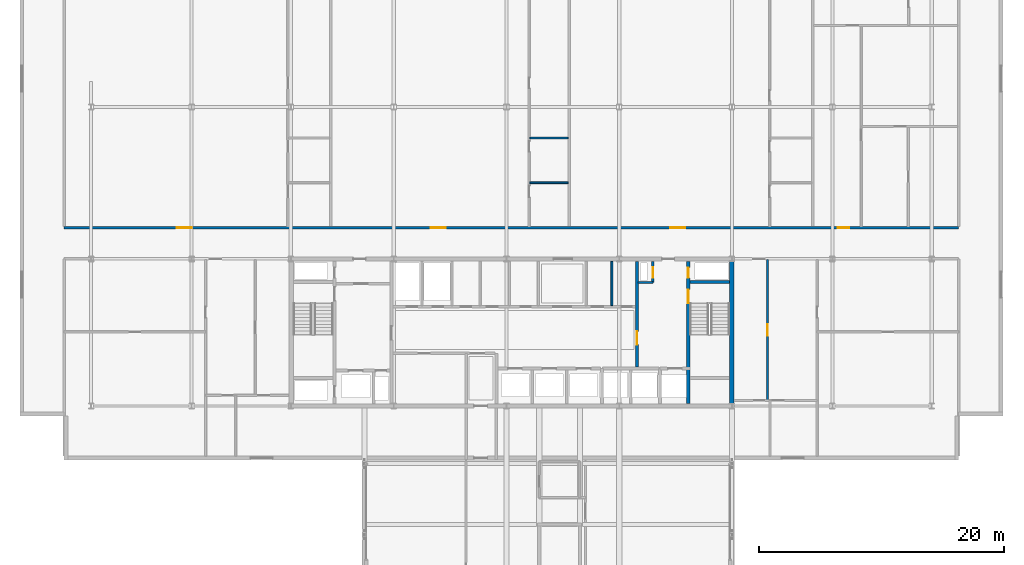
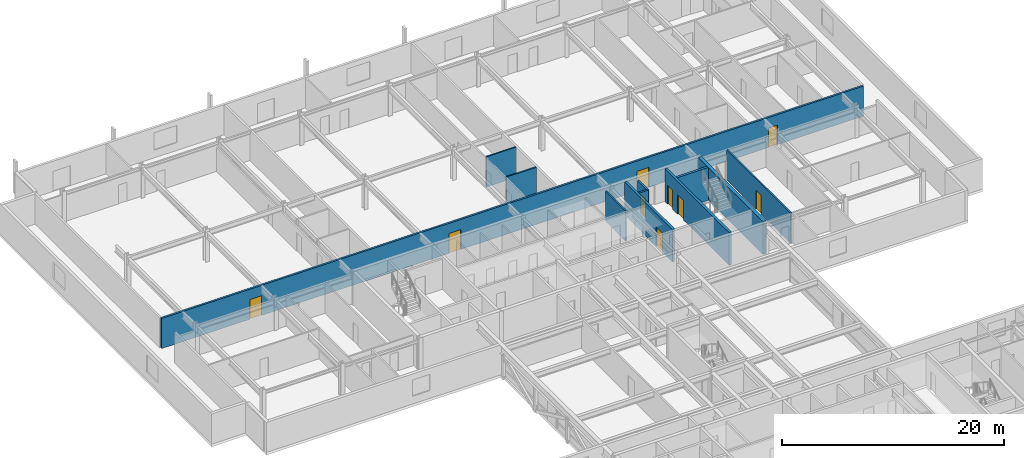
# One storey, part 25 of 35: 11 walls, 9 doors, 9 openings.
"""IFC4 building model written with IfcOpenShell, lengths in metres."""

from ifc_helpers import new_model, si_unit, direction, frame, frame_2d, origin, place, context, subcontext, project, spatial, rectangle, extrude, material, layer, layer_set, type_object, element, fill, save


model = new_model("IFC4")

# Units and contexts
model_context = context("Model", 3, precision=1e-05, world=origin(), true_north=direction((0.0, 1.0)))
body_context = subcontext(model_context, "Body", "Model", "MODEL_VIEW")
ifc_project = project(units=[si_unit("LENGTHUNIT", "METRE"), si_unit("AREAUNIT", "SQUARE_METRE"), si_unit("VOLUMEUNIT", "CUBIC_METRE"), si_unit("PLANEANGLEUNIT", "RADIAN"), si_unit("MASSUNIT", "GRAM", prefix="KILO")], contexts=[model_context])

# Site, building, storey
site_placement = place(None, origin())
site = spatial("IfcSite", under=ifc_project, at=site_placement, CompositionType="ELEMENT")
building_placement = place(site_placement, origin())
building = spatial("IfcBuilding", under=site, at=building_placement, Name="Korimba Cascade Residences", CompositionType="ELEMENT")
storey_placement = place(building_placement, frame((0.0, 0.0, 150.10009765625)))
storey = spatial("IfcBuildingStorey", under=building, at=storey_placement, Name="L43", CompositionType="ELEMENT", Elevation=150.10009765625)

# Wall
ifc_material_1 = material(Name="Concrete C65/80", Category="concrete")
ifc_layer_1 = layer(ifc_material_1, 0.35009765625)
ifc_layer_set_1 = layer_set([ifc_layer_1], Name="Concrete C65/80")
wall_type_1 = type_object("IfcWallType", Name="WAL-CORE-350", PredefinedType="SHEAR", material=ifc_layer_set_1)
wall_1_placement = place(storey_placement, frame((112.074951171875, 55.375, 0.0), z_axis=(0.0, 0.0, 1.0), x_axis=(0.0, 1.0, 0.0)))
element("IfcWall", 1, at=wall_1_placement, inside=storey, type_object=wall_type_1, Name="L43 Core Shear Wall CW-L43-T1-E", PredefinedType="SHEAR", context=body_context, shape_type="SweptSolid", body=[
    extrude(rectangle(XDim=11.64990234375, YDim=0.35009765625, at=frame_2d((5.824951171875, 0.0))), origin(), (0.0, 0.0, 1.0), 3.599853515625),
])

# Wall, openings, doors
ifc_material_2 = material(Name="Precast concrete C40/50", Category="concrete")
ifc_layer_2 = layer(ifc_material_2, 0.199951171875)
ifc_layer_set_2 = layer_set([ifc_layer_2], Name="Precast concrete C40/50")
wall_type_2 = type_object("IfcWallType", Name="WAL-IT-200", PredefinedType="PARTITIONING", material=ifc_layer_set_2)
wall_2_placement = place(storey_placement, frame((57.60009765625, 69.75, 0.0), z_axis=(0.0, 0.0, 1.0), x_axis=(1.0, 0.0, 0.0)))
wall_2 = element("IfcWall", 2, at=wall_2_placement, inside=storey, type_object=wall_type_2, Name="L43 Partition Wall WAL-L43-T1-CORN", PredefinedType="PARTITIONING", context=body_context, shape_type="SweptSolid", body=[
    extrude(rectangle(XDim=73.0, YDim=0.199951171875, at=frame_2d((36.5, 0.0))), origin(), (0.0, 0.0, 1.0), 3.309814453125),
])
opening_1_placement = place(wall_2_placement, frame((9.188720703125, 0.0, 0.0)))
opening_1 = element("IfcOpeningElement", 3, at=opening_1_placement, cuts=wall_2, Name="Opening D-AM1", PredefinedType="OPENING", context=body_context, shape_type="SweptSolid", body=[
    extrude(rectangle(XDim=1.219970703125, YDim=2.179931640625, at=frame_2d((0.60986328125, 1.08984375))), frame((0.0, 0.10986328125, 0.0), z_axis=(0.0, -1.0, 0.0), x_axis=(1.0, 0.0, 0.0)), (0.0, 0.0, 1.0), 0.219970703125),
])
opening_2_placement = place(wall_2_placement, frame((29.91162109375, 0.0, 0.0)))
opening_2 = element("IfcOpeningElement", 4, at=opening_2_placement, cuts=wall_2, Name="Opening D-AM1", PredefinedType="OPENING", context=body_context, shape_type="SweptSolid", body=[
    extrude(rectangle(XDim=1.219970703125, YDim=2.179931640625, at=frame_2d((0.60986328125, 1.08984375))), frame((0.0, 0.10986328125, 0.0), z_axis=(0.0, -1.0, 0.0), x_axis=(1.0, 0.0, 0.0)), (0.0, 0.0, 1.0), 0.219970703125),
])
opening_3_placement = place(wall_2_placement, frame((49.456787109375, 0.0, 0.0)))
opening_3 = element("IfcOpeningElement", 5, at=opening_3_placement, cuts=wall_2, Name="Opening D-AM1", PredefinedType="OPENING", context=body_context, shape_type="SweptSolid", body=[
    extrude(rectangle(XDim=1.219970703125, YDim=2.179931640625, at=frame_2d((0.60986328125, 1.08984375))), frame((0.0, 0.10986328125, 0.0), z_axis=(0.0, -1.0, 0.0), x_axis=(1.0, 0.0, 0.0)), (0.0, 0.0, 1.0), 0.219970703125),
])
opening_4_placement = place(wall_2_placement, frame((63.122314453125, 0.0, 0.0)))
opening_4 = element("IfcOpeningElement", 6, at=opening_4_placement, cuts=wall_2, Name="Opening D-UN1", PredefinedType="OPENING", context=body_context, shape_type="SweptSolid", body=[
    extrude(rectangle(XDim=0.949951171875, YDim=2.14990234375, at=frame_2d((0.47509765625, 1.074951171875))), frame((0.0, 0.10986328125, 0.0), z_axis=(0.0, -1.0, 0.0), x_axis=(1.0, 0.0, 0.0)), (0.0, 0.0, 1.0), 0.219970703125),
])
ifc_material_3 = material(Name="Fire-Rated Glazed Timber Suite Door", Category="wood")
door_type_1 = type_object("IfcDoorType", Name="DR-FD60-1200", OperationType="NOTDEFINED", PredefinedType="DOOR", material=ifc_material_3)
door_1_placement = place(opening_1_placement, origin())
door_1 = element("IfcDoor", 7, at=door_1_placement, inside=storey, type_object=door_type_1, Name="L43-T1-U01 Transfer Reception Foyer Door", OperationType="SINGLE_SWING_LEFT", OverallHeight=2.179931640625, OverallWidth=1.219970703125, PredefinedType="DOOR", context=body_context, shape_type="SweptSolid", body=[
    extrude(rectangle(XDim=1.219970703125, YDim=2.179931640625, at=frame_2d((0.60986328125, 1.08984375))), frame((0.0, 0.02490234375, 0.0), z_axis=(0.0, -1.0, 0.0), x_axis=(1.0, 0.0, 0.0)), (0.0, 0.0, 1.0), 0.050048828125),
])
fill(opening_1, door_1)
door_2_placement = place(opening_2_placement, origin())
door_2 = element("IfcDoor", 8, at=door_2_placement, inside=storey, type_object=door_type_1, Name="L43-T1-U02 Executive Co-Working Office Door", OperationType="SINGLE_SWING_RIGHT", OverallHeight=2.179931640625, OverallWidth=1.219970703125, PredefinedType="DOOR", context=body_context, shape_type="SweptSolid", body=[
    extrude(rectangle(XDim=1.219970703125, YDim=2.179931640625, at=frame_2d((0.60986328125, 1.08984375))), frame((0.0, 0.02490234375, 0.0), z_axis=(0.0, -1.0, 0.0), x_axis=(1.0, 0.0, 0.0)), (0.0, 0.0, 1.0), 0.050048828125),
])
fill(opening_2, door_2)
door_3_placement = place(opening_3_placement, origin())
door_3 = element("IfcDoor", 9, at=door_3_placement, inside=storey, type_object=door_type_1, Name="L43-T1-U03 Resident Conference Room Door", OperationType="SINGLE_SWING_LEFT", OverallHeight=2.179931640625, OverallWidth=1.219970703125, PredefinedType="DOOR", context=body_context, shape_type="SweptSolid", body=[
    extrude(rectangle(XDim=1.219970703125, YDim=2.179931640625, at=frame_2d((0.60986328125, 1.08984375))), frame((0.0, 0.02490234375, 0.0), z_axis=(0.0, -1.0, 0.0), x_axis=(1.0, 0.0, 0.0)), (0.0, 0.0, 1.0), 0.050048828125),
])
fill(opening_3, door_3)
ifc_material_4 = material(Name="Fire-Rated Hardwood Apartment Entrance Door", Category="wood")
door_type_2 = type_object("IfcDoorType", Name="DR-FD60-950", OperationType="NOTDEFINED", PredefinedType="DOOR", material=ifc_material_4)
door_4_placement = place(opening_4_placement, origin())
door_4 = element("IfcDoor", 10, at=door_4_placement, inside=storey, type_object=door_type_2, Name="Unit L43-T1-U04 Entrance Door", OperationType="SINGLE_SWING_RIGHT", OverallHeight=2.14990234375, OverallWidth=0.949951171875, PredefinedType="DOOR", context=body_context, shape_type="SweptSolid", body=[
    extrude(rectangle(XDim=0.949951171875, YDim=2.14990234375, at=frame_2d((0.47509765625, 1.074951171875))), frame((0.0, 0.02490234375, 0.0), z_axis=(0.0, -1.0, 0.0), x_axis=(1.0, 0.0, 0.0)), (0.0, 0.0, 1.0), 0.050048828125),
])
fill(opening_4, door_4)

# Wall
ifc_material_5 = material(Name="Insulated Acoustic Stud Partition", Category="gypsum")
ifc_layer_3 = layer(ifc_material_5, 0.14990234375)
ifc_layer_set_3 = layer_set([ifc_layer_3], Name="Insulated Acoustic Stud Partition")
wall_type_3 = type_object("IfcWallType", Name="WAL-PART-150", PredefinedType="PARTITIONING", material=ifc_layer_set_3)
wall_3_placement = place(storey_placement, frame((102.300048828125, 63.39990234375, 0.0), z_axis=(0.0, 0.0, 1.0), x_axis=(0.0, 1.0, 0.0)))
element("IfcWall", 11, at=wall_3_placement, inside=storey, type_object=wall_type_3, Name="L43 Partition Wall CW-L43-T1-CA1E1", PredefinedType="PARTITIONING", context=body_context, shape_type="SweptSolid", body=[
    extrude(rectangle(XDim=3.60009765625, YDim=0.14990234375, at=frame_2d((1.800048828125, 0.0))), origin(), (0.0, 0.0, 1.0), 3.309814453125),
])

# Wall, opening, door
wall_4_placement = place(storey_placement, frame((115.0, 55.64990234375, 0.0), z_axis=(0.0, 0.0, 1.0), x_axis=(0.0, 1.0, 0.0)))
wall_4 = element("IfcWall", 12, at=wall_4_placement, inside=storey, type_object=wall_type_3, Name="L43 Partition Wall WAL-L43-T1-FE-VN", PredefinedType="PARTITIONING", context=body_context, shape_type="SweptSolid", body=[
    extrude(rectangle(XDim=11.5, YDim=0.14990234375, at=frame_2d((5.75, 0.0))), origin(), (0.0, 0.0, 1.0), 3.309814453125),
])
opening_5_placement = place(wall_4_placement, frame((5.2900390625, 0.0, 0.0)))
opening_5 = element("IfcOpeningElement", 13, at=opening_5_placement, cuts=wall_4, Name="Opening D-IN1", PredefinedType="OPENING", context=body_context, shape_type="SweptSolid", body=[
    extrude(rectangle(XDim=0.919921875, YDim=2.080078125, at=frame_2d((0.4599609375, 1.0400390625))), frame((0.0, 0.0849609375, 0.0), z_axis=(0.0, -1.0, 0.0), x_axis=(1.0, 0.0, 0.0)), (0.0, 0.0, 1.0), 0.169921875),
])
ifc_material_6 = material(Name="Acoustic Timber Living Door", Category="wood")
door_type_3 = type_object("IfcDoorType", Name="DR-INT-920", OperationType="NOTDEFINED", PredefinedType="DOOR", material=ifc_material_6)
door_5_placement = place(opening_5_placement, origin())
door_5 = element("IfcDoor", 14, at=door_5_placement, inside=storey, type_object=door_type_3, Name="L43-T1-FE Living Door", OperationType="SINGLE_SWING_RIGHT", OverallHeight=2.080078125, OverallWidth=0.919921875, PredefinedType="DOOR", context=body_context, shape_type="SweptSolid", body=[
    extrude(rectangle(XDim=0.919921875, YDim=2.080078125, at=frame_2d((0.4599609375, 1.0400390625))), frame((0.0, 0.02490234375, 0.0), z_axis=(0.0, -1.0, 0.0), x_axis=(1.0, 0.0, 0.0)), (0.0, 0.0, 1.0), 0.050048828125),
])
fill(opening_5, door_5)

# Walls
for number, where, z_axis, x_axis, name in (
    (15, (95.606201171875, 73.419921875, 0.0), (0.0, 0.0, 1.0), (1.0, 0.0, 0.0), "L43 Partition Wall WAL-L43-T1-U02-WCH"),
    (16, (95.606201171875, 77.070068359375, 0.0), (0.0, 0.0, 1.0), (1.0, 0.0, 0.0), "L43 Partition Wall WAL-L43-T1-U02-WCH2"),
):
    element("IfcWall", number, at=place(storey_placement, frame(where, z_axis=z_axis, x_axis=x_axis)), inside=storey, type_object=wall_type_3, Name=name, PredefinedType="PARTITIONING", context=body_context, shape_type="SweptSolid", body=[
        extrude(rectangle(XDim=3.1298828125, YDim=0.14990234375, at=frame_2d((1.56494140625, 0.0))), origin(), (0.0, 0.0, 1.0), 3.309814453125),
    ])
ifc_material_7 = material(Name="Concrete C40/50", Category="concrete")
ifc_layer_4 = layer(ifc_material_7, 0.199951171875)
ifc_layer_set_4 = layer_set([ifc_layer_4], Name="Concrete C40/50")
wall_type_4 = type_object("IfcWallType", Name="WAL-PART-200", PredefinedType="PARTITIONING", material=ifc_layer_set_4)
wall_5_placement = place(storey_placement, frame((104.449951171875, 65.280029296875, 0.0), z_axis=(0.0, 0.0, 1.0), x_axis=(1.0, 0.0, 0.0)))
element("IfcWall", 17, at=wall_5_placement, inside=storey, type_object=wall_type_4, Name="L43 Partition Wall CW-L43-T1-HYDW2S", PredefinedType="PARTITIONING", context=body_context, shape_type="SweptSolid", body=[
    extrude(rectangle(XDim=1.199951171875, YDim=0.199951171875, at=frame_2d((0.60009765625, 0.0))), origin(), (0.0, 0.0, 1.0), 3.309814453125),
])

# Wall, opening, door
wall_6_placement = place(storey_placement, frame((105.64990234375, 65.280029296875, 0.0), z_axis=(0.0, 0.0, 1.0), x_axis=(0.0, 1.0, 0.0)))
wall_6 = element("IfcWall", 18, at=wall_6_placement, inside=storey, type_object=wall_type_4, Name="L43 Partition Wall CW-L43-T1-HYDW2E", PredefinedType="PARTITIONING", context=body_context, shape_type="SweptSolid", body=[
    extrude(rectangle(XDim=1.719970703125, YDim=0.199951171875, at=frame_2d((0.85986328125, 0.0))), origin(), (0.0, 0.0, 1.0), 3.309814453125),
])
opening_6_placement = place(wall_6_placement, frame((0.39990234375, 0.0, 0.0)))
opening_6 = element("IfcOpeningElement", 19, at=opening_6_placement, cuts=wall_6, Name="Opening D-RS1", PredefinedType="OPENING", context=body_context, shape_type="SweptSolid", body=[
    extrude(rectangle(XDim=0.85009765625, YDim=2.050048828125, at=frame_2d((0.425048828125, 1.02490234375))), frame((0.0, 0.10986328125, 0.0), z_axis=(0.0, -1.0, 0.0), x_axis=(1.0, 0.0, 0.0)), (0.0, 0.0, 1.0), 0.219970703125),
])
ifc_material_8 = material(Name="Fire-Rated Steel Riser Access Door", Category="steel")
door_type_4 = type_object("IfcDoorType", Name="DR-FD60-850", OperationType="NOTDEFINED", PredefinedType="DOOR", material=ifc_material_8)
door_6_placement = place(opening_6_placement, origin())
door_6 = element("IfcDoor", 20, at=door_6_placement, inside=storey, type_object=door_type_4, Name="L43 East Hydrant Door", OperationType="SINGLE_SWING_RIGHT", OverallHeight=2.050048828125, OverallWidth=0.85009765625, PredefinedType="DOOR", context=body_context, shape_type="SweptSolid", body=[
    extrude(rectangle(XDim=0.85009765625, YDim=2.050048828125, at=frame_2d((0.425048828125, 1.02490234375))), frame((0.0, 0.02490234375, 0.0), z_axis=(0.0, -1.0, 0.0), x_axis=(1.0, 0.0, 0.0)), (0.0, 0.0, 1.0), 0.050048828125),
])
fill(opening_6, door_6)

ifc_material_9 = material(Name="Concrete C50/60", Category="concrete")
ifc_layer_5 = layer(ifc_material_9, 0.25)
ifc_layer_set_5 = layer_set([ifc_layer_5], Name="Concrete C50/60")
wall_type_5 = type_object("IfcWallType", Name="WAL-SHAFT-250", PredefinedType="SHEAR", material=ifc_layer_set_5)
wall_7_placement = place(storey_placement, frame((104.35009765625, 58.39990234375, 0.0), z_axis=(0.0, 0.0, 1.0), x_axis=(0.0, 1.0, 0.0)))
wall_7 = element("IfcWall", 21, at=wall_7_placement, inside=storey, type_object=wall_type_5, Name="L43 Core Shear Wall CW-L43-T1-LLEV", PredefinedType="SHEAR", context=body_context, shape_type="SweptSolid", body=[
    extrude(rectangle(XDim=8.60009765625, YDim=0.25, at=frame_2d((4.300048828125, 0.0))), origin(), (0.0, 0.0, 1.0), 3.599853515625),
])
opening_7_placement = place(wall_7_placement, frame((1.800048828125, 0.0, 0.0)))
opening_7 = element("IfcOpeningElement", 22, at=opening_7_placement, cuts=wall_7, Name="Opening D-FD1", PredefinedType="OPENING", context=body_context, shape_type="SweptSolid", body=[
    extrude(rectangle(XDim=1.10009765625, YDim=2.10009765625, at=frame_2d((0.550048828125, 1.050048828125))), frame((0.0, 0.135009765625, 0.0), z_axis=(0.0, -1.0, 0.0), x_axis=(1.0, 0.0, 0.0)), (0.0, 0.0, 1.0), 0.27001953125),
])
ifc_material_10 = material(Name="Fire-Rated Steel Core Door", Category="steel")
door_type_5 = type_object("IfcDoorType", Name="DR-FD120-1100", OperationType="NOTDEFINED", PredefinedType="DOOR", material=ifc_material_10)
door_7_placement = place(opening_7_placement, origin())
door_7 = element("IfcDoor", 23, at=door_7_placement, inside=storey, type_object=door_type_5, Name="L43 Lift Lobby to East Firefighting Lobby Door", OperationType="SINGLE_SWING_LEFT", OverallHeight=2.10009765625, OverallWidth=1.10009765625, PredefinedType="DOOR", context=body_context, shape_type="SweptSolid", body=[
    extrude(rectangle(XDim=1.10009765625, YDim=2.10009765625, at=frame_2d((0.550048828125, 1.050048828125))), frame((0.0, 0.02490234375, 0.0), z_axis=(0.0, -1.0, 0.0), x_axis=(1.0, 0.0, 0.0)), (0.0, 0.0, 1.0), 0.050048828125),
])
fill(opening_7, door_7)

# Wall, openings, doors
wall_8_placement = place(storey_placement, frame((108.534912109375, 55.39990234375, 0.0), z_axis=(0.0, 0.0, 1.0), x_axis=(0.0, 1.0, 0.0)))
wall_8 = element("IfcWall", 24, at=wall_8_placement, inside=storey, type_object=wall_type_5, Name="L43 Core Shear Wall CW-L43-T1-STW2W", PredefinedType="SHEAR", context=body_context, shape_type="SweptSolid", body=[
    extrude(rectangle(XDim=11.60009765625, YDim=0.25, at=frame_2d((5.800048828125, 0.0))), origin(), (0.0, 0.0, 1.0), 3.599853515625),
])
opening_8_placement = place(wall_8_placement, frame((8.199951171875, 0.0, 0.0)))
opening_8 = element("IfcOpeningElement", 25, at=opening_8_placement, cuts=wall_8, Name="Opening D-FD1", PredefinedType="OPENING", context=body_context, shape_type="SweptSolid", body=[
    extrude(rectangle(XDim=1.10009765625, YDim=2.10009765625, at=frame_2d((0.550048828125, 1.050048828125))), frame((0.0, 0.135009765625, 0.0), z_axis=(0.0, -1.0, 0.0), x_axis=(1.0, 0.0, 0.0)), (0.0, 0.0, 1.0), 0.27001953125),
])
opening_9_placement = place(wall_8_placement, frame((10.25, 0.0, 0.0)))
opening_9 = element("IfcOpeningElement", 26, at=opening_9_placement, cuts=wall_8, Name="Opening D-RS1", PredefinedType="OPENING", context=body_context, shape_type="SweptSolid", body=[
    extrude(rectangle(XDim=0.85009765625, YDim=2.050048828125, at=frame_2d((0.425048828125, 1.02490234375))), frame((0.0, 0.135009765625, 0.0), z_axis=(0.0, -1.0, 0.0), x_axis=(1.0, 0.0, 0.0)), (0.0, 0.0, 1.0), 0.27001953125),
])
door_8_placement = place(opening_8_placement, origin())
door_8 = element("IfcDoor", 27, at=door_8_placement, inside=storey, type_object=door_type_5, Name="L43 Fire Stair ST-W2 Door", OperationType="SINGLE_SWING_RIGHT", OverallHeight=2.10009765625, OverallWidth=1.10009765625, PredefinedType="DOOR", context=body_context, shape_type="SweptSolid", body=[
    extrude(rectangle(XDim=1.10009765625, YDim=2.10009765625, at=frame_2d((0.550048828125, 1.050048828125))), frame((0.0, 0.02490234375, 0.0), z_axis=(0.0, -1.0, 0.0), x_axis=(1.0, 0.0, 0.0)), (0.0, 0.0, 1.0), 0.050048828125),
])
fill(opening_8, door_8)
door_9_placement = place(opening_9_placement, origin())
door_9 = element("IfcDoor", 28, at=door_9_placement, inside=storey, type_object=door_type_4, Name="L43 East Riser Door", OperationType="SINGLE_SWING_LEFT", OverallHeight=2.050048828125, OverallWidth=0.85009765625, PredefinedType="DOOR", context=body_context, shape_type="SweptSolid", body=[
    extrude(rectangle(XDim=0.85009765625, YDim=2.050048828125, at=frame_2d((0.425048828125, 1.02490234375))), frame((0.0, 0.02490234375, 0.0), z_axis=(0.0, -1.0, 0.0), x_axis=(1.0, 0.0, 0.0)), (0.0, 0.0, 1.0), 0.050048828125),
])
fill(opening_9, door_9)

# Wall
wall_9_placement = place(storey_placement, frame((108.659912109375, 65.324951171875, 0.0), z_axis=(0.0, 0.0, 1.0), x_axis=(1.0, 0.0, 0.0)))
element("IfcWall", 29, at=wall_9_placement, inside=storey, type_object=wall_type_5, Name="L43 Core Shear Wall CW-L43-T1-STW2N", PredefinedType="SHEAR", context=body_context, shape_type="SweptSolid", body=[
    extrude(rectangle(XDim=3.239990234375, YDim=0.25, at=frame_2d((1.6201171875, 0.0))), origin(), (0.0, 0.0, 1.0), 3.599853515625),
])

save(model, "model.ifc")
